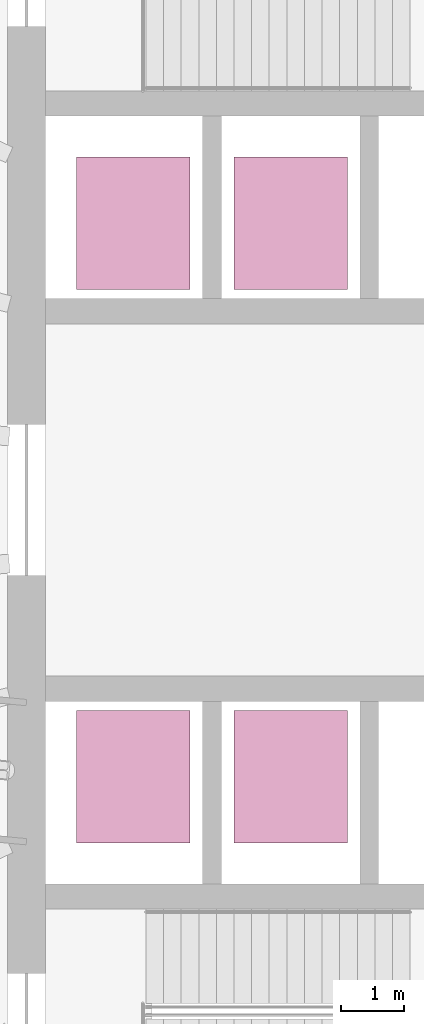
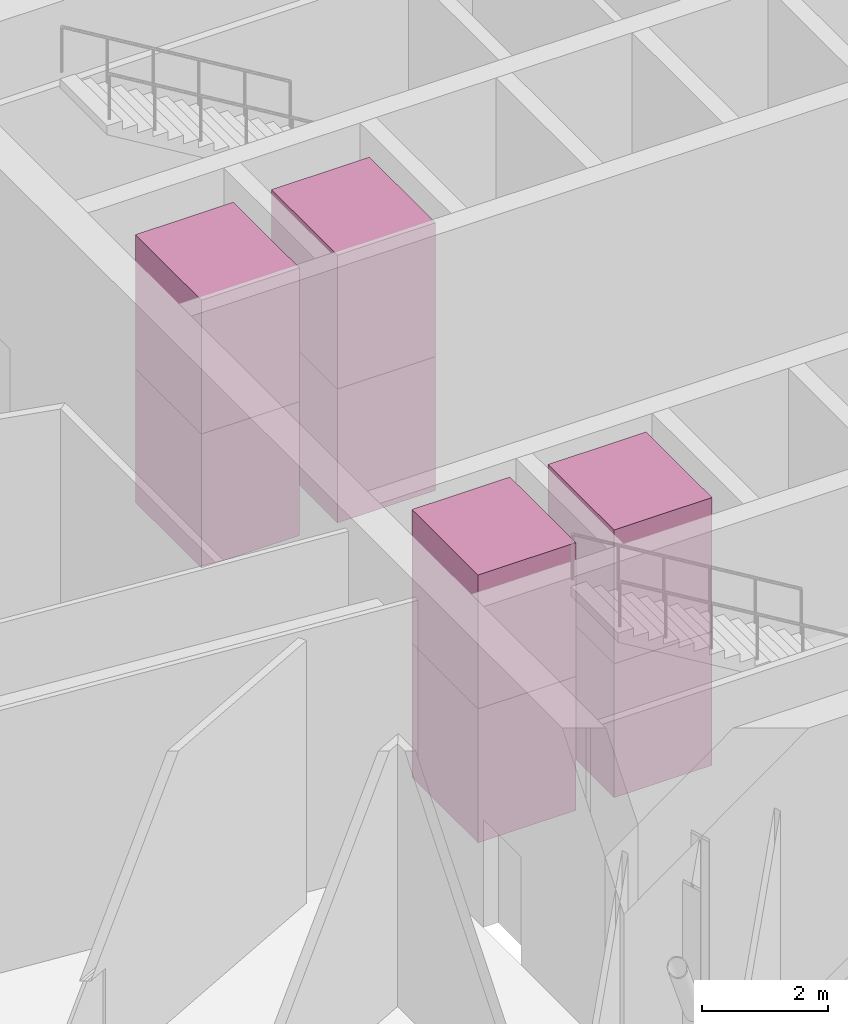
# One storey, part 20 of 20: 8 transport elements.
"""IFC4 building model written with IfcOpenShell, lengths in metres."""

from ifc_helpers import new_model, si_unit, direction, frame, origin, origin_2d, place, context, subcontext, project, spatial, rectangle, extrude, material, type_object, element, save


model = new_model("IFC4")

# Units and contexts
model_context = context("Model", 3, precision=1e-05, world=origin(), true_north=direction((0.0, 1.0)))
body_context = subcontext(model_context, "Body", "Model", "MODEL_VIEW")
ifc_project = project(units=[si_unit("LENGTHUNIT", "METRE"), si_unit("AREAUNIT", "SQUARE_METRE"), si_unit("VOLUMEUNIT", "CUBIC_METRE"), si_unit("PLANEANGLEUNIT", "RADIAN"), si_unit("MASSUNIT", "GRAM", prefix="KILO")], contexts=[model_context])

# Site, building, storey
site_placement = place(None, origin())
site = spatial("IfcSite", under=ifc_project, at=site_placement, CompositionType="ELEMENT")
building_placement = place(site_placement, origin())
building = spatial("IfcBuilding", under=site, at=building_placement, Name="Halqa Exchange Tower", CompositionType="ELEMENT")
storey_placement = place(building_placement, frame((0.0, 0.0, 250.89990234375)))
storey = spatial("IfcBuildingStorey", under=building, at=storey_placement, Name="L58", CompositionType="ELEMENT", Elevation=250.89990234375)

# Transport elements
ifc_material = material(Name="Stainless steel", Category="steel")
transport_element_type = type_object("IfcTransportElementType", Name="High-rise passenger lift 1800 x 2100", PredefinedType="ELEVATOR", material=ifc_material)
for number, where, z_axis, x_axis, name in (
    (1, (-10.0, 4.39990234375, 0.0), (0.0, 0.0, 1.0), (1.0, 0.0, 0.0), "High-rise passenger lift HR1"),
    (2, (-10.0, 4.39990234375, 2.60009765625), (0.0, 0.0, 1.0), (1.0, 0.0, 0.0), "High-rise passenger lift HR1"),
    (3, (-7.5, 4.39990234375, 0.0), (0.0, 0.0, 1.0), (1.0, 0.0, 0.0), "High-rise passenger lift HR2"),
    (4, (-7.5, 4.39990234375, 2.60009765625), (0.0, 0.0, 1.0), (1.0, 0.0, 0.0), "High-rise passenger lift HR2"),
    (5, (-10.0, -4.39990234375, 0.0), (0.0, 0.0, 1.0), (1.0, 0.0, 0.0), "High-rise passenger lift HR3"),
    (6, (-10.0, -4.39990234375, 2.60009765625), (0.0, 0.0, 1.0), (1.0, 0.0, 0.0), "High-rise passenger lift HR3"),
    (7, (-7.5, -4.39990234375, 0.0), (0.0, 0.0, 1.0), (1.0, 0.0, 0.0), "High-rise passenger lift HR4"),
    (8, (-7.5, -4.39990234375, 2.60009765625), (0.0, 0.0, 1.0), (1.0, 0.0, 0.0), "High-rise passenger lift HR4"),
):
    element("IfcTransportElement", number, at=place(storey_placement, frame(where, z_axis=z_axis, x_axis=x_axis)), inside=storey, type_object=transport_element_type, Name=name, PredefinedType="ELEVATOR", context=body_context, shape_type="SweptSolid", body=[
        extrude(rectangle(XDim=1.800048828125, YDim=2.10009765625, at=origin_2d()), origin(), (0.0, 0.0, 1.0), 2.60009765625),
    ])

save(model, "model.ifc")
